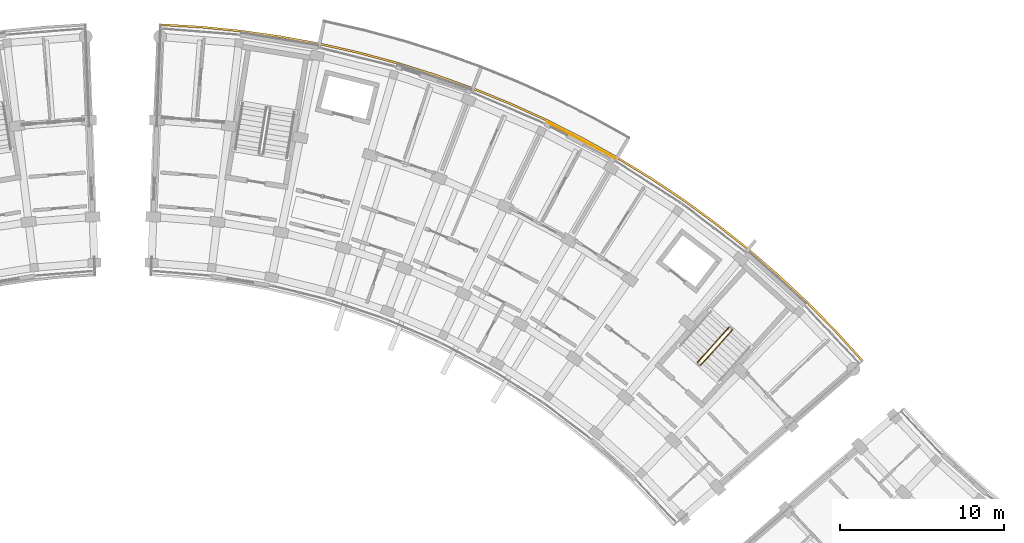
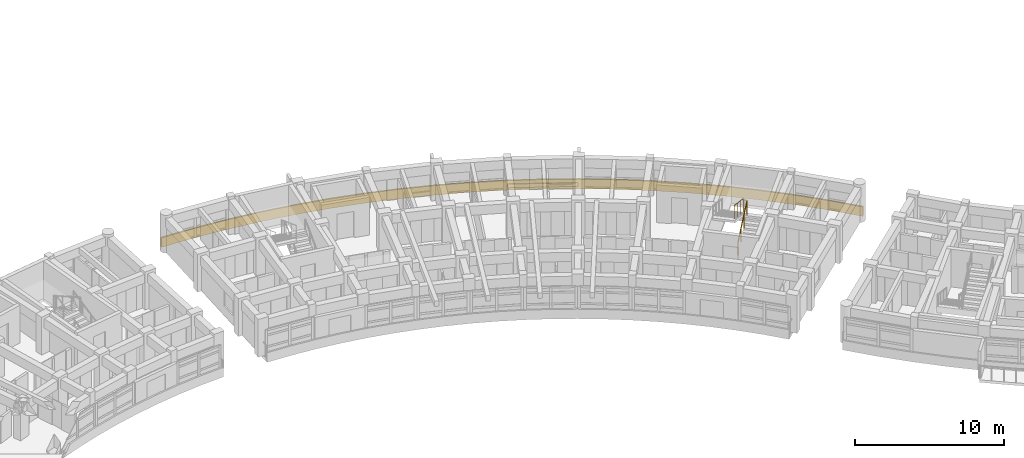
# One storey, part 65 of 70: 3 railings, 1 covering.
"""IFC4 building model written with IfcOpenShell, lengths in metres."""

from ifc_helpers import new_model, si_unit, direction, frame, origin, origin_2d, place, context, subcontext, project, spatial, polyline, rectangle, circle, outline, extrude, material, layer, layer_set, type_object, element, save


model = new_model("IFC4")

# Units and contexts
model_context = context("Model", 3, precision=1e-05, world=origin(), true_north=direction((0.0, 1.0)))
body_context = subcontext(model_context, "Body", "Model", "MODEL_VIEW")
ifc_project = project(units=[si_unit("LENGTHUNIT", "METRE"), si_unit("AREAUNIT", "SQUARE_METRE"), si_unit("VOLUMEUNIT", "CUBIC_METRE"), si_unit("PLANEANGLEUNIT", "RADIAN"), si_unit("MASSUNIT", "GRAM", prefix="KILO")], contexts=[model_context])

# Site, building, storey
site_placement = place(None, origin())
site = spatial("IfcSite", under=ifc_project, at=site_placement, CompositionType="ELEMENT")
building_placement = place(site_placement, origin())
building = spatial("IfcBuilding", under=site, at=building_placement, Name="Zimvara Arc Housing Community", CompositionType="ELEMENT")
storey_placement = place(building_placement, frame((0.0, 0.0, 8.10009765625)))
storey = spatial("IfcBuildingStorey", under=building, at=storey_placement, Name="L02", CompositionType="ELEMENT", Elevation=8.10009765625)

# Covering
ifc_material_1 = material(Name="Pale-Gold Anodised Aluminium Cladding", Category="aluminium")
ifc_layer = layer(ifc_material_1, 0.044921875)
ifc_layer_set = layer_set([ifc_layer], Name="Pale-Gold Anodised Aluminium Cladding")
covering_type = type_object("IfcCoveringType", Name="CLD-GOLD-02", PredefinedType="CLADDING", material=ifc_layer_set)
covering_placement = place(storey_placement, frame((72.87158203125, 97.05126953125, 0.009765625), z_axis=(0.0, 0.0, 1.0), x_axis=(0.88343873811, -0.468546684981, 0.0)))
element("IfcCovering", 1, at=covering_placement, inside=storey, type_object=covering_type, Name="cld:blkB:L02:out:b5", PredefinedType="CLADDING", context=body_context, shape_type="SweptSolid", body=[
    extrude(rectangle(XDim=4.748779296875, YDim=0.044921875, at=origin_2d()), origin(), (0.0, 0.0, 1.0), 0.300048828125),
])

# Railings
ifc_material_2 = material(Name="Anodised Aluminium AW-6063", Category="aluminium")
railing_type_1 = type_object("IfcRailingType", Name="RLG-BAL-1120", PredefinedType="BALUSTRADE", material=ifc_material_2)
railing_1_placement = place(storey_placement, frame((80.1455078125, 83.365966796875, 0.15478515625)))
element("IfcRailing", 2, at=railing_1_placement, inside=storey, type_object=railing_type_1, Name="L02 ST-B2 stair guard 1", PredefinedType="BALUSTRADE", context=body_context, shape_type="SweptSolid", body=[
    extrude(circle(Radius=0.02392578125, at=origin_2d()), frame((0.0, 0.0, 1.09619140625), z_axis=(0.601231728384, 0.668248248038, 0.438137749775), x_axis=(-0.743400174344, 0.668846903847, 0.0)), (0.0, 0.0, 1.0), 3.18408203125),
    extrude(circle(Radius=0.02099609375, at=origin_2d()), origin(), (0.0, 0.0, 1.0), 1.072021484375),
    extrude(circle(Radius=0.02099609375, at=origin_2d()), frame((0.63818359375, 0.709228515625, 0.465087890625)), (0.0, 0.0, 1.0), 1.072021484375),
    extrude(circle(Radius=0.02099609375, at=origin_2d()), frame((1.276123046875, 1.41845703125, 0.929931640625)), (0.0, 0.0, 1.0), 1.072021484375),
    extrude(circle(Radius=0.02099609375, at=origin_2d()), frame((1.914306640625, 2.127685546875, 1.39501953125)), (0.0, 0.0, 1.0), 1.072021484375),
])
railing_2_placement = place(storey_placement, frame((81.866455078125, 85.66748046875, 1.704833984375)))
element("IfcRailing", 3, at=railing_2_placement, inside=storey, type_object=railing_type_1, Name="L02 ST-B2 stair guard 3", PredefinedType="BALUSTRADE", context=body_context, shape_type="SweptSolid", body=[
    extrude(circle(Radius=0.02392578125, at=origin_2d()), frame((0.0, 0.0, 1.09619140625), z_axis=(-0.601262536038, -0.668205807809, 0.438160200347), x_axis=(0.743362010683, -0.668889319, 0.0)), (0.0, 0.0, 1.0), 3.183837890625),
    extrude(circle(Radius=0.02099609375, at=origin_2d()), origin(), (0.0, 0.0, 1.0), 1.072021484375),
    extrude(circle(Radius=0.02099609375, at=origin_2d()), frame((-0.63818359375, -0.709228515625, 0.465087890625)), (0.0, 0.0, 1.0), 1.072021484375),
    extrude(circle(Radius=0.02099609375, at=origin_2d()), frame((-1.276123046875, -1.418212890625, 0.929931640625)), (0.0, 0.0, 1.0), 1.072021484375),
    extrude(circle(Radius=0.02099609375, at=origin_2d()), frame((-1.914306640625, -2.12744140625, 1.39501953125)), (0.0, 0.0, 1.0), 1.072021484375),
])
ifc_material_3 = material(Name="Pale-Gold Anodised Aluminium AW-6063", Category="aluminium")
railing_type_2 = type_object("IfcRailingType", Name="RLG-FAS-780", PredefinedType="BALUSTRADE", material=ifc_material_3)
railing_3_placement = place(storey_placement, frame((0.0, 0.0, -0.22021484375)))
element("IfcRailing", 4, at=railing_3_placement, inside=storey, type_object=railing_type_2, Name="rlg:blkB:L02:gold_out", PredefinedType="BALUSTRADE", context=body_context, shape_type="SweptSolid", body=[
    extrude(outline(polyline([(47.286376953125, 104.01611328125), (49.71435546875, 103.873046875), (52.134765625, 103.631103515625), (54.54296875, 103.29052734375), (56.935546875, 102.851806640625), (59.307861328125, 102.31591796875), (61.65673828125, 101.68359375), (63.9775390625, 100.955810546875), (66.266845703125, 100.1337890625), (68.5205078125, 99.218994140625), (70.735107421875, 98.213134765625), (72.90673828125, 97.11767578125), (75.03173828125, 95.934326171875), (77.106689453125, 94.665283203125), (79.128173828125, 93.3125), (81.0927734375, 91.87841796875), (82.9970703125, 90.365234375), (84.837890625, 88.775634765625), (86.612548828125, 87.112060546875), (88.317626953125, 85.377685546875), (89.950439453125, 83.574951171875), (90.041015625, 83.653564453125), (88.40478515625, 85.4599609375), (86.6962890625, 87.197998046875), (84.918212890625, 88.86474609375), (83.073486328125, 90.457763671875), (81.165283203125, 91.973876953125), (79.197021484375, 93.410888671875), (77.17138671875, 94.766357421875), (75.09228515625, 96.037841796875), (72.962890625, 97.2236328125), (70.786865234375, 98.3212890625), (68.56787109375, 99.329345703125), (66.3095703125, 100.245849609375), (64.015625, 101.069580078125), (61.690185546875, 101.798583984375), (59.3369140625, 102.432373046875), (56.95947265625, 102.969482421875), (54.562255859375, 103.408935546875), (52.149169921875, 103.750244140625), (49.723876953125, 103.99267578125), (47.291015625, 104.135986328125), (47.286376953125, 104.01611328125)])), origin(), (0.0, 0.0, 1.0), 0.780029296875),
])

save(model, "model.ifc")
